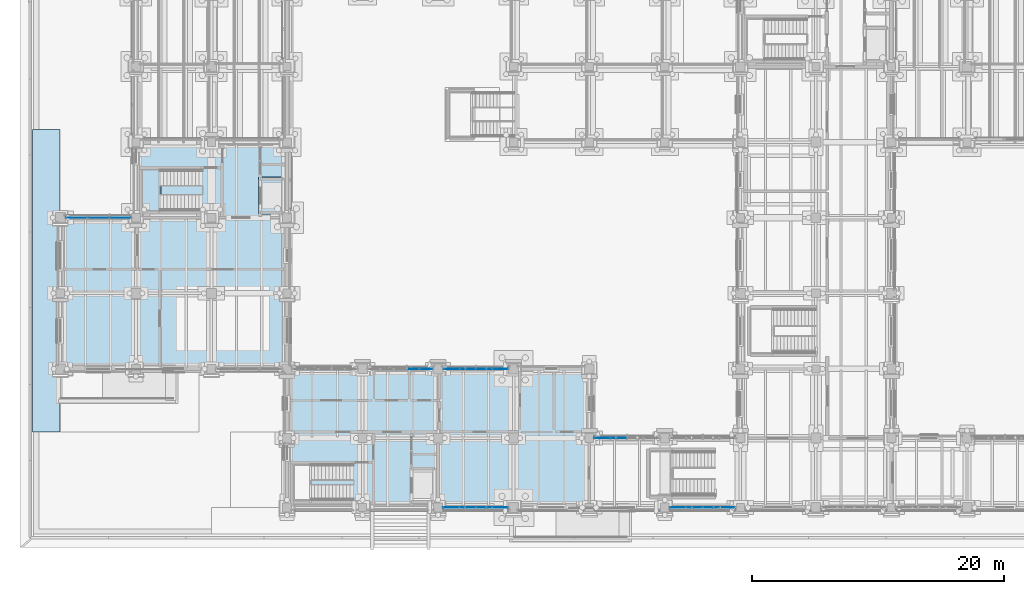
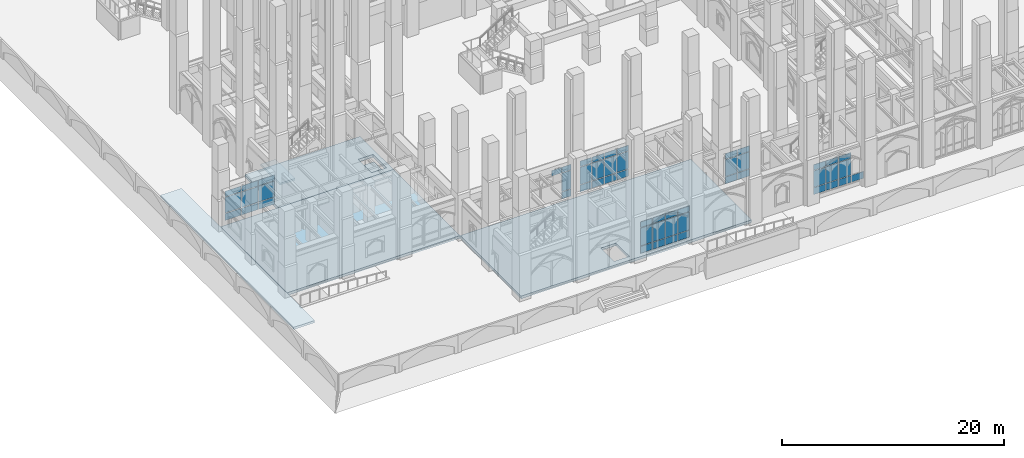
# One storey, part 51 of 135: 53 plates, 6 slabs, 7 elements without a shape of their own.
"""IFC4 building model written with IfcOpenShell, lengths in metres."""

from ifc_helpers import new_model, si_unit, direction, frame, origin, origin_2d, place, context, subcontext, project, spatial, polyline, rectangle, outline, extrude, material, layer, layer_set, type_object, element, aggregate, save


model = new_model("IFC4")

# Units and contexts
model_context = context("Model", 3, precision=1e-05, world=origin(), true_north=direction((0.0, 1.0)))
body_context = subcontext(model_context, "Body", "Model", "MODEL_VIEW")
ifc_project = project(units=[si_unit("LENGTHUNIT", "METRE"), si_unit("AREAUNIT", "SQUARE_METRE"), si_unit("VOLUMEUNIT", "CUBIC_METRE"), si_unit("PLANEANGLEUNIT", "RADIAN"), si_unit("MASSUNIT", "GRAM", prefix="KILO")], contexts=[model_context])

# Site, building, storey
site_placement = place(None, origin())
site = spatial("IfcSite", under=ifc_project, at=site_placement, CompositionType="ELEMENT")
building_placement = place(site_placement, origin())
building = spatial("IfcBuilding", under=site, at=building_placement, Name="Cumevento Cable Car Station", CompositionType="ELEMENT")
storey_placement = place(building_placement, origin())
storey = spatial("IfcBuildingStorey", under=building, at=storey_placement, Name="L01", CompositionType="ELEMENT", Elevation=0.0)

# Slabs
ifc_material_1 = material(Name="Concrete C40/50", Category="concrete")
ifc_layer_1 = layer(ifc_material_1, 0.2900390625)
ifc_layer_set_1 = layer_set([ifc_layer_1], Name="Concrete C40/50")
slab_type_1 = type_object("IfcSlabType", Name="Concrete Deck BS-290 290", PredefinedType="BASESLAB", material=ifc_layer_set_1)
slab_1_placement = place(storey_placement, frame((0.0, 0.0, -0.2900390625)))
element("IfcSlab", 1, at=slab_1_placement, inside=storey, type_object=slab_type_1, Name="Base Slab BS-290 L01 B_V1a.1", PredefinedType="BASESLAB", context=body_context, shape_type="SweptSolid", body=[
    extrude(outline(polyline([(22.0, 4.0), (46.0, 4.0), (46.0, 15.0), (22.0, 15.0), (22.0, 4.0)]), holes=[polyline([(32.010009765625, 4.5400390625), (33.580078125, 4.5400390625), (33.580078125, 6.9599609375), (32.010009765625, 6.9599609375), (32.010009765625, 4.5400390625)])]), origin(), (0.0, 0.0, 1.0), 0.2900390625),
])
slab_2_placement = place(storey_placement, frame((0.0, 0.0, -0.2900390625)))
element("IfcSlab", 2, at=slab_2_placement, inside=storey, type_object=slab_type_1, Name="Base Slab BS-290 L01 B_V6a.1", PredefinedType="BASESLAB", context=body_context, shape_type="SweptSolid", body=[
    extrude(outline(polyline([(4.0, 15.0), (22.0, 15.0), (22.0, 27.0), (4.0, 27.0), (4.0, 15.0)])), origin(), (0.0, 0.0, 1.0), 0.2900390625),
])
slab_3_placement = place(storey_placement, frame((0.0, 0.0, -1.340087890625)))
element("IfcSlab", 3, at=slab_3_placement, inside=storey, type_object=slab_type_1, Name="Lift Pit Base Slab LF-03", PredefinedType="BASESLAB", context=body_context, shape_type="SweptSolid", body=[
    extrude(outline(polyline([(19.739990234375, 27.280029296875), (21.840087890625, 27.280029296875), (21.840087890625, 30.219970703125), (19.739990234375, 30.219970703125), (19.739990234375, 27.280029296875)])), origin(), (0.0, 0.0, 1.0), 0.2900390625),
])
ifc_material_2 = material(Name="Concrete C40/50", Category="concrete")
ifc_layer_2 = layer(ifc_material_2, 0.31005859375)
ifc_layer_set_2 = layer_set([ifc_layer_2], Name="Concrete C40/50")
slab_type_2 = type_object("IfcSlabType", Name="Concrete Deck BS-310 310", PredefinedType="BASESLAB", material=ifc_layer_set_2)
slab_4_placement = place(storey_placement, frame((0.0, 0.0, -0.31005859375)))
element("IfcSlab", 4, at=slab_4_placement, inside=storey, type_object=slab_type_2, Name="Base Slab BS-310 L01 B_V6b_core.1", PredefinedType="BASESLAB", context=body_context, shape_type="SweptSolid", body=[
    extrude(outline(polyline([(10.0, 27.0), (22.0, 27.0), (22.0, 33.0), (10.0, 33.0), (10.0, 27.0)]), holes=[polyline([(20.010009765625, 27.5400390625), (21.580078125, 27.5400390625), (21.580078125, 29.9599609375), (20.010009765625, 29.9599609375), (20.010009765625, 27.5400390625)])]), origin(), (0.0, 0.0, 1.0), 0.31005859375),
])
ifc_material_3 = material(Name="Concrete C40/50", Category="concrete")
ifc_layer_3 = layer(ifc_material_3, 0.25)
ifc_layer_set_3 = layer_set([ifc_layer_3], Name="Concrete C40/50")
slab_type_3 = type_object("IfcSlabType", Name="Exterior Apron Slab AP-250", PredefinedType="BASESLAB", material=ifc_layer_set_3)
slab_5_placement = place(storey_placement, frame((0.0, 0.0, -0.25)))
element("IfcSlab", 5, at=slab_5_placement, inside=storey, type_object=slab_type_3, Name="Exterior Paved Apron apron_W_rescue #1", PredefinedType="BASESLAB", context=body_context, shape_type="SweptSolid", body=[
    extrude(outline(polyline([(1.800048828125, 10.0), (1.800048828125, 34.0), (3.97998046875, 34.0), (3.97998046875, 10.0), (1.800048828125, 10.0)])), origin(), (0.0, 0.0, 1.0), 0.25),
])

# Curtain wall, plates
ifc_material_4 = material(Name="Anodised Bronze Aluminium AW-6063-T6", Category="aluminium")
ifc_layer_4 = layer(ifc_material_4, 0.243896484375)
ifc_layer_set_4 = layer_set([ifc_layer_4], Name="Anodised Bronze Aluminium AW-6063-T6")
curtain_wall_type_1 = type_object("IfcCurtainWallType", Name="Lancet Curtain Wall CW-15 1610", PredefinedType="NOTDEFINED", material=ifc_layer_set_4)
curtain_wall_1_placement = place(storey_placement, origin())
curtain_wall_1 = element("IfcCurtainWall", 6, at=curtain_wall_1_placement, inside=storey, type_object=curtain_wall_type_1, Name="Lancet Curtain Wall CW-15 L01 #14", PredefinedType="NOTDEFINED")
ifc_material_5 = material(Name="Solar Control Laminated Double Glazing", Category="glass")
ifc_layer_5 = layer(ifc_material_5, 0.02197265625)
ifc_layer_set_5 = layer_set([ifc_layer_5], Name="Solar Control Laminated Double Glazing")
plate_type_1 = type_object("IfcPlateType", Name="Glazed Panel CWP-01 22", PredefinedType="CURTAIN_PANEL", material=ifc_layer_set_5)
plate_1_placement = place(storey_placement, frame((5.291259765625, 27.0, 0.525146484375), z_axis=(0.0, 0.0, 1.0), x_axis=(1.0, 0.0, 0.0)))
plate_1 = element("IfcPlate", 7, at=plate_1_placement, type_object=plate_type_1, Name="CW-15 panel 1.1", PredefinedType="CURTAIN_PANEL", context=body_context, shape_type="SweptSolid", body=[
    extrude(rectangle(XDim=1.652587890625, YDim=0.02197265625, at=origin_2d()), origin(), (0.0, 0.0, 1.0), 0.75244140625),
])
plate_2_placement = place(storey_placement, frame((5.291259765625, 27.0, 1.3427734375), z_axis=(0.0, 0.0, 1.0), x_axis=(1.0, 0.0, 0.0)))
plate_2 = element("IfcPlate", 8, at=plate_2_placement, type_object=plate_type_1, Name="CW-15 panel 1.2", PredefinedType="CURTAIN_PANEL", context=body_context, shape_type="SweptSolid", body=[
    extrude(rectangle(XDim=1.652587890625, YDim=0.02197265625, at=origin_2d()), origin(), (0.0, 0.0, 1.0), 1.721923828125),
])
plate_3_placement = place(storey_placement, frame((5.291259765625, 27.0, 3.12939453125), z_axis=(0.0, 0.0, 1.0), x_axis=(1.0, 0.0, 0.0)))
plate_3 = element("IfcPlate", 9, at=plate_3_placement, type_object=plate_type_1, Name="CW-15 panel 1.3", PredefinedType="CURTAIN_PANEL", context=body_context, shape_type="SweptSolid", body=[
    extrude(rectangle(XDim=1.652587890625, YDim=0.02197265625, at=origin_2d()), origin(), (0.0, 0.0, 1.0), 0.6025390625),
])
plate_4_placement = place(storey_placement, frame((7.02490234375, 27.0, 0.525146484375), z_axis=(0.0, 0.0, 1.0), x_axis=(1.0, 0.0, 0.0)))
plate_4 = element("IfcPlate", 10, at=plate_4_placement, type_object=plate_type_1, Name="CW-15 panel 2.1", PredefinedType="CURTAIN_PANEL", context=body_context, shape_type="SweptSolid", body=[
    extrude(rectangle(XDim=1.68505859375, YDim=0.02197265625, at=origin_2d()), origin(), (0.0, 0.0, 1.0), 0.75244140625),
])
plate_5_placement = place(storey_placement, frame((7.02490234375, 27.0, 1.3427734375), z_axis=(0.0, 0.0, 1.0), x_axis=(1.0, 0.0, 0.0)))
plate_5 = element("IfcPlate", 11, at=plate_5_placement, type_object=plate_type_1, Name="CW-15 panel 2.2", PredefinedType="CURTAIN_PANEL", context=body_context, shape_type="SweptSolid", body=[
    extrude(rectangle(XDim=1.68505859375, YDim=0.02197265625, at=origin_2d()), origin(), (0.0, 0.0, 1.0), 1.721923828125),
])
plate_6_placement = place(storey_placement, frame((7.02490234375, 27.0, 3.12939453125), z_axis=(0.0, 0.0, 1.0), x_axis=(1.0, 0.0, 0.0)))
plate_6 = element("IfcPlate", 12, at=plate_6_placement, type_object=plate_type_1, Name="CW-15 panel 2.3", PredefinedType="CURTAIN_PANEL", context=body_context, shape_type="SweptSolid", body=[
    extrude(rectangle(XDim=1.68505859375, YDim=0.02197265625, at=origin_2d()), origin(), (0.0, 0.0, 1.0), 0.6025390625),
])
plate_7_placement = place(storey_placement, frame((8.7587890625, 27.0, 0.525146484375), z_axis=(0.0, 0.0, 1.0), x_axis=(1.0, 0.0, 0.0)))
plate_7 = element("IfcPlate", 13, at=plate_7_placement, type_object=plate_type_1, Name="CW-15 panel 3.1", PredefinedType="CURTAIN_PANEL", context=body_context, shape_type="SweptSolid", body=[
    extrude(rectangle(XDim=1.652587890625, YDim=0.02197265625, at=origin_2d()), origin(), (0.0, 0.0, 1.0), 0.75244140625),
])
plate_8_placement = place(storey_placement, frame((8.7587890625, 27.0, 1.3427734375), z_axis=(0.0, 0.0, 1.0), x_axis=(1.0, 0.0, 0.0)))
plate_8 = element("IfcPlate", 14, at=plate_8_placement, type_object=plate_type_1, Name="CW-15 panel 3.2", PredefinedType="CURTAIN_PANEL", context=body_context, shape_type="SweptSolid", body=[
    extrude(rectangle(XDim=1.652587890625, YDim=0.02197265625, at=origin_2d()), origin(), (0.0, 0.0, 1.0), 1.721923828125),
])
plate_9_placement = place(storey_placement, frame((8.7587890625, 27.0, 3.12939453125), z_axis=(0.0, 0.0, 1.0), x_axis=(1.0, 0.0, 0.0)))
plate_9 = element("IfcPlate", 15, at=plate_9_placement, type_object=plate_type_1, Name="CW-15 panel 3.3", PredefinedType="CURTAIN_PANEL", context=body_context, shape_type="SweptSolid", body=[
    extrude(rectangle(XDim=1.652587890625, YDim=0.02197265625, at=origin_2d()), origin(), (0.0, 0.0, 1.0), 0.6025390625),
])
aggregate(curtain_wall_1, [plate_1, plate_2, plate_3, plate_4, plate_5, plate_6, plate_7, plate_8, plate_9])

ifc_material_6 = material(Name="Anodised Bronze Aluminium AW-6063-T6", Category="aluminium")
ifc_layer_6 = layer(ifc_material_6, 0.172119140625)
ifc_layer_set_6 = layer_set([ifc_layer_6], Name="Anodised Bronze Aluminium AW-6063-T6")
curtain_wall_type_2 = type_object("IfcCurtainWallType", Name="Lancet Curtain Wall CW-03 1130", PredefinedType="NOTDEFINED", material=ifc_layer_set_6)
curtain_wall_2_placement = place(storey_placement, origin())
curtain_wall_2 = element("IfcCurtainWall", 16, at=curtain_wall_2_placement, inside=storey, type_object=curtain_wall_type_2, Name="Lancet Curtain Wall CW-03 L01 #2", PredefinedType="NOTDEFINED")
ifc_material_7 = material(Name="Solar Control Laminated Double Glazing", Category="glass")
ifc_layer_7 = layer(ifc_material_7, 0.030029296875)
ifc_layer_set_7 = layer_set([ifc_layer_7], Name="Solar Control Laminated Double Glazing")
plate_type_2 = type_object("IfcPlateType", Name="Glazed Panel CWP-03 30", PredefinedType="CURTAIN_PANEL", material=ifc_layer_set_7)
plate_10_placement = place(storey_placement, frame((32.032470703125, 15.0, 3.21337890625), z_axis=(0.0, 0.0, 1.0), x_axis=(1.0, 0.0, 0.0)))
plate_10 = element("IfcPlate", 17, at=plate_10_placement, type_object=plate_type_2, Name="CW-03 panel 4.3", PredefinedType="CURTAIN_PANEL", context=body_context, shape_type="SweptSolid", body=[
    extrude(rectangle(XDim=0.97998046875, YDim=0.030029296875, at=origin_2d()), origin(), (0.0, 0.0, 1.0), 0.6025390625),
])
plate_11_placement = place(storey_placement, frame((33.061279296875, 15.0, 0.324951171875), z_axis=(0.0, 0.0, 1.0), x_axis=(1.0, 0.0, 0.0)))
plate_11 = element("IfcPlate", 18, at=plate_11_placement, type_object=plate_type_2, Name="CW-03 panel 5.1", PredefinedType="CURTAIN_PANEL", context=body_context, shape_type="SweptSolid", body=[
    extrude(rectangle(XDim=0.947509765625, YDim=0.030029296875, at=origin_2d()), origin(), (0.0, 0.0, 1.0), 0.75244140625),
])
plate_12_placement = place(storey_placement, frame((33.061279296875, 15.0, 1.142578125), z_axis=(0.0, 0.0, 1.0), x_axis=(1.0, 0.0, 0.0)))
plate_12 = element("IfcPlate", 19, at=plate_12_placement, type_object=plate_type_2, Name="CW-03 panel 5.2", PredefinedType="CURTAIN_PANEL", context=body_context, shape_type="SweptSolid", body=[
    extrude(rectangle(XDim=0.947509765625, YDim=0.030029296875, at=origin_2d()), origin(), (0.0, 0.0, 1.0), 2.006103515625),
])
plate_13_placement = place(storey_placement, frame((33.061279296875, 15.0, 3.21337890625), z_axis=(0.0, 0.0, 1.0), x_axis=(1.0, 0.0, 0.0)))
plate_13 = element("IfcPlate", 20, at=plate_13_placement, type_object=plate_type_2, Name="CW-03 panel 5.3", PredefinedType="CURTAIN_PANEL", context=body_context, shape_type="SweptSolid", body=[
    extrude(rectangle(XDim=0.947509765625, YDim=0.030029296875, at=origin_2d()), origin(), (0.0, 0.0, 1.0), 0.6025390625),
])
aggregate(curtain_wall_2, [plate_10, plate_11, plate_12, plate_13])

ifc_material_8 = material(Name="Anodised Bronze Aluminium AW-6063-T6", Category="aluminium")
ifc_layer_8 = layer(ifc_material_8, 0.177978515625)
ifc_layer_set_8 = layer_set([ifc_layer_8], Name="Anodised Bronze Aluminium AW-6063-T6")
curtain_wall_type_3 = type_object("IfcCurtainWallType", Name="Lancet Curtain Wall CW-04 1170", PredefinedType="NOTDEFINED", material=ifc_layer_set_8)
curtain_wall_3_placement = place(storey_placement, origin())
curtain_wall_3 = element("IfcCurtainWall", 21, at=curtain_wall_3_placement, inside=storey, type_object=curtain_wall_type_3, Name="Lancet Curtain Wall CW-04 L01 #3", PredefinedType="NOTDEFINED")
ifc_material_9 = material(Name="Solar Control Laminated Double Glazing", Category="glass")
ifc_layer_9 = layer(ifc_material_9, 0.033935546875)
ifc_layer_set_9 = layer_set([ifc_layer_9], Name="Solar Control Laminated Double Glazing")
plate_type_3 = type_object("IfcPlateType", Name="Glazed Panel CWP-04 34", PredefinedType="CURTAIN_PANEL", material=ifc_layer_set_9)
plate_14_placement = place(storey_placement, frame((38.927490234375, 4.0, 0.375), z_axis=(0.0, 0.0, 1.0), x_axis=(-1.0, 0.0, 0.0)))
plate_14 = element("IfcPlate", 22, at=plate_14_placement, type_object=plate_type_3, Name="CW-04 panel 1.1", PredefinedType="CURTAIN_PANEL", context=body_context, shape_type="SweptSolid", body=[
    extrude(rectangle(XDim=1.215087890625, YDim=0.033935546875, at=origin_2d()), origin(), (0.0, 0.0, 1.0), 0.75244140625),
])
plate_15_placement = place(storey_placement, frame((38.927490234375, 4.0, 1.1923828125), z_axis=(0.0, 0.0, 1.0), x_axis=(-1.0, 0.0, 0.0)))
plate_15 = element("IfcPlate", 23, at=plate_15_placement, type_object=plate_type_3, Name="CW-04 panel 1.2", PredefinedType="CURTAIN_PANEL", context=body_context, shape_type="SweptSolid", body=[
    extrude(rectangle(XDim=1.215087890625, YDim=0.033935546875, at=origin_2d()), origin(), (0.0, 0.0, 1.0), 1.9560546875),
])
plate_16_placement = place(storey_placement, frame((38.927490234375, 4.0, 3.21337890625), z_axis=(0.0, 0.0, 1.0), x_axis=(-1.0, 0.0, 0.0)))
plate_16 = element("IfcPlate", 24, at=plate_16_placement, type_object=plate_type_3, Name="CW-04 panel 1.3", PredefinedType="CURTAIN_PANEL", context=body_context, shape_type="SweptSolid", body=[
    extrude(rectangle(XDim=1.215087890625, YDim=0.033935546875, at=origin_2d()), origin(), (0.0, 0.0, 1.0), 0.6025390625),
])
plate_17_placement = place(storey_placement, frame((37.63134765625, 4.0, 0.375), z_axis=(0.0, 0.0, 1.0), x_axis=(-1.0, 0.0, 0.0)))
plate_17 = element("IfcPlate", 25, at=plate_17_placement, type_object=plate_type_3, Name="CW-04 panel 2.1", PredefinedType="CURTAIN_PANEL", context=body_context, shape_type="SweptSolid", body=[
    extrude(rectangle(XDim=1.24755859375, YDim=0.033935546875, at=origin_2d()), origin(), (0.0, 0.0, 1.0), 0.75244140625),
])
plate_18_placement = place(storey_placement, frame((37.63134765625, 4.0, 1.1923828125), z_axis=(0.0, 0.0, 1.0), x_axis=(-1.0, 0.0, 0.0)))
plate_18 = element("IfcPlate", 26, at=plate_18_placement, type_object=plate_type_3, Name="CW-04 panel 2.2", PredefinedType="CURTAIN_PANEL", context=body_context, shape_type="SweptSolid", body=[
    extrude(rectangle(XDim=1.24755859375, YDim=0.033935546875, at=origin_2d()), origin(), (0.0, 0.0, 1.0), 1.9560546875),
])
plate_19_placement = place(storey_placement, frame((37.63134765625, 4.0, 3.21337890625), z_axis=(0.0, 0.0, 1.0), x_axis=(-1.0, 0.0, 0.0)))
plate_19 = element("IfcPlate", 27, at=plate_19_placement, type_object=plate_type_3, Name="CW-04 panel 2.3", PredefinedType="CURTAIN_PANEL", context=body_context, shape_type="SweptSolid", body=[
    extrude(rectangle(XDim=1.24755859375, YDim=0.033935546875, at=origin_2d()), origin(), (0.0, 0.0, 1.0), 0.6025390625),
])
plate_20_placement = place(storey_placement, frame((36.31884765625, 4.0, 0.375), z_axis=(0.0, 0.0, 1.0), x_axis=(-1.0, 0.0, 0.0)))
plate_20 = element("IfcPlate", 28, at=plate_20_placement, type_object=plate_type_3, Name="CW-04 panel 3.1", PredefinedType="CURTAIN_PANEL", context=body_context, shape_type="SweptSolid", body=[
    extrude(rectangle(XDim=1.24755859375, YDim=0.033935546875, at=origin_2d()), origin(), (0.0, 0.0, 1.0), 0.75244140625),
])
plate_21_placement = place(storey_placement, frame((36.31884765625, 4.0, 1.1923828125), z_axis=(0.0, 0.0, 1.0), x_axis=(-1.0, 0.0, 0.0)))
plate_21 = element("IfcPlate", 29, at=plate_21_placement, type_object=plate_type_3, Name="CW-04 panel 3.2", PredefinedType="CURTAIN_PANEL", context=body_context, shape_type="SweptSolid", body=[
    extrude(rectangle(XDim=1.24755859375, YDim=0.033935546875, at=origin_2d()), origin(), (0.0, 0.0, 1.0), 1.9560546875),
])
plate_22_placement = place(storey_placement, frame((36.31884765625, 4.0, 3.21337890625), z_axis=(0.0, 0.0, 1.0), x_axis=(-1.0, 0.0, 0.0)))
plate_22 = element("IfcPlate", 30, at=plate_22_placement, type_object=plate_type_3, Name="CW-04 panel 3.3", PredefinedType="CURTAIN_PANEL", context=body_context, shape_type="SweptSolid", body=[
    extrude(rectangle(XDim=1.24755859375, YDim=0.033935546875, at=origin_2d()), origin(), (0.0, 0.0, 1.0), 0.6025390625),
])
plate_23_placement = place(storey_placement, frame((35.0224609375, 4.0, 0.375), z_axis=(0.0, 0.0, 1.0), x_axis=(-1.0, 0.0, 0.0)))
plate_23 = element("IfcPlate", 31, at=plate_23_placement, type_object=plate_type_3, Name="CW-04 panel 4.1", PredefinedType="CURTAIN_PANEL", context=body_context, shape_type="SweptSolid", body=[
    extrude(rectangle(XDim=1.215087890625, YDim=0.033935546875, at=origin_2d()), origin(), (0.0, 0.0, 1.0), 0.75244140625),
])
plate_24_placement = place(storey_placement, frame((35.0224609375, 4.0, 1.1923828125), z_axis=(0.0, 0.0, 1.0), x_axis=(-1.0, 0.0, 0.0)))
plate_24 = element("IfcPlate", 32, at=plate_24_placement, type_object=plate_type_3, Name="CW-04 panel 4.2", PredefinedType="CURTAIN_PANEL", context=body_context, shape_type="SweptSolid", body=[
    extrude(rectangle(XDim=1.215087890625, YDim=0.033935546875, at=origin_2d()), origin(), (0.0, 0.0, 1.0), 1.9560546875),
])
plate_25_placement = place(storey_placement, frame((35.0224609375, 4.0, 3.21337890625), z_axis=(0.0, 0.0, 1.0), x_axis=(-1.0, 0.0, 0.0)))
plate_25 = element("IfcPlate", 33, at=plate_25_placement, type_object=plate_type_3, Name="CW-04 panel 4.3", PredefinedType="CURTAIN_PANEL", context=body_context, shape_type="SweptSolid", body=[
    extrude(rectangle(XDim=1.215087890625, YDim=0.033935546875, at=origin_2d()), origin(), (0.0, 0.0, 1.0), 0.6025390625),
])
aggregate(curtain_wall_3, [plate_14, plate_15, plate_16, plate_17, plate_18, plate_19, plate_20, plate_21, plate_22, plate_23, plate_24, plate_25])

ifc_material_10 = material(Name="Anodised Bronze Aluminium AW-6063-T6", Category="aluminium")
ifc_layer_10 = layer(ifc_material_10, 0.18408203125)
ifc_layer_set_10 = layer_set([ifc_layer_10], Name="Anodised Bronze Aluminium AW-6063-T6")
curtain_wall_type_4 = type_object("IfcCurtainWallType", Name="Lancet Curtain Wall CW-05 1210", PredefinedType="NOTDEFINED", material=ifc_layer_set_10)
curtain_wall_4_placement = place(storey_placement, origin())
curtain_wall_4 = element("IfcCurtainWall", 34, at=curtain_wall_4_placement, inside=storey, type_object=curtain_wall_type_4, Name="Lancet Curtain Wall CW-05 L01 #4", PredefinedType="NOTDEFINED")
ifc_material_11 = material(Name="Solar Control Laminated Double Glazing", Category="glass")
ifc_layer_11 = layer(ifc_material_11, 0.0380859375)
ifc_layer_set_11 = layer_set([ifc_layer_11], Name="Solar Control Laminated Double Glazing")
plate_type_4 = type_object("IfcPlateType", Name="Glazed Panel CWP-05 38", PredefinedType="CURTAIN_PANEL", material=ifc_layer_set_11)
plate_26_placement = place(storey_placement, frame((35.066162109375, 15.0, 0.425048828125), z_axis=(0.0, 0.0, 1.0), x_axis=(1.0, 0.0, 0.0)))
plate_26 = element("IfcPlate", 35, at=plate_26_placement, type_object=plate_type_4, Name="CW-05 panel 1.1", PredefinedType="CURTAIN_PANEL", context=body_context, shape_type="SweptSolid", body=[
    extrude(rectangle(XDim=1.202392578125, YDim=0.0380859375, at=origin_2d()), origin(), (0.0, 0.0, 1.0), 0.75244140625),
])
plate_27_placement = place(storey_placement, frame((35.066162109375, 15.0, 1.24267578125), z_axis=(0.0, 0.0, 1.0), x_axis=(1.0, 0.0, 0.0)))
plate_27 = element("IfcPlate", 36, at=plate_27_placement, type_object=plate_type_4, Name="CW-05 panel 1.2", PredefinedType="CURTAIN_PANEL", context=body_context, shape_type="SweptSolid", body=[
    extrude(rectangle(XDim=1.202392578125, YDim=0.0380859375, at=origin_2d()), origin(), (0.0, 0.0, 1.0), 1.906005859375),
])
plate_28_placement = place(storey_placement, frame((35.066162109375, 15.0, 3.21337890625), z_axis=(0.0, 0.0, 1.0), x_axis=(1.0, 0.0, 0.0)))
plate_28 = element("IfcPlate", 37, at=plate_28_placement, type_object=plate_type_4, Name="CW-05 panel 1.3", PredefinedType="CURTAIN_PANEL", context=body_context, shape_type="SweptSolid", body=[
    extrude(rectangle(XDim=1.202392578125, YDim=0.0380859375, at=origin_2d()), origin(), (0.0, 0.0, 1.0), 0.6025390625),
])
plate_29_placement = place(storey_placement, frame((36.35009765625, 15.0, 0.425048828125), z_axis=(0.0, 0.0, 1.0), x_axis=(1.0, 0.0, 0.0)))
plate_29 = element("IfcPlate", 38, at=plate_29_placement, type_object=plate_type_4, Name="CW-05 panel 2.1", PredefinedType="CURTAIN_PANEL", context=body_context, shape_type="SweptSolid", body=[
    extrude(rectangle(XDim=1.235107421875, YDim=0.0380859375, at=origin_2d()), origin(), (0.0, 0.0, 1.0), 0.75244140625),
])
plate_30_placement = place(storey_placement, frame((36.35009765625, 15.0, 1.24267578125), z_axis=(0.0, 0.0, 1.0), x_axis=(1.0, 0.0, 0.0)))
plate_30 = element("IfcPlate", 39, at=plate_30_placement, type_object=plate_type_4, Name="CW-05 panel 2.2", PredefinedType="CURTAIN_PANEL", context=body_context, shape_type="SweptSolid", body=[
    extrude(rectangle(XDim=1.235107421875, YDim=0.0380859375, at=origin_2d()), origin(), (0.0, 0.0, 1.0), 1.906005859375),
])
plate_31_placement = place(storey_placement, frame((36.35009765625, 15.0, 3.21337890625), z_axis=(0.0, 0.0, 1.0), x_axis=(1.0, 0.0, 0.0)))
plate_31 = element("IfcPlate", 40, at=plate_31_placement, type_object=plate_type_4, Name="CW-05 panel 2.3", PredefinedType="CURTAIN_PANEL", context=body_context, shape_type="SweptSolid", body=[
    extrude(rectangle(XDim=1.235107421875, YDim=0.0380859375, at=origin_2d()), origin(), (0.0, 0.0, 1.0), 0.6025390625),
])
plate_32_placement = place(storey_placement, frame((37.64990234375, 15.0, 0.425048828125), z_axis=(0.0, 0.0, 1.0), x_axis=(1.0, 0.0, 0.0)))
plate_32 = element("IfcPlate", 41, at=plate_32_placement, type_object=plate_type_4, Name="CW-05 panel 3.1", PredefinedType="CURTAIN_PANEL", context=body_context, shape_type="SweptSolid", body=[
    extrude(rectangle(XDim=1.235107421875, YDim=0.0380859375, at=origin_2d()), origin(), (0.0, 0.0, 1.0), 0.75244140625),
])
plate_33_placement = place(storey_placement, frame((37.64990234375, 15.0, 1.24267578125), z_axis=(0.0, 0.0, 1.0), x_axis=(1.0, 0.0, 0.0)))
plate_33 = element("IfcPlate", 42, at=plate_33_placement, type_object=plate_type_4, Name="CW-05 panel 3.2", PredefinedType="CURTAIN_PANEL", context=body_context, shape_type="SweptSolid", body=[
    extrude(rectangle(XDim=1.235107421875, YDim=0.0380859375, at=origin_2d()), origin(), (0.0, 0.0, 1.0), 1.906005859375),
])
plate_34_placement = place(storey_placement, frame((37.64990234375, 15.0, 3.21337890625), z_axis=(0.0, 0.0, 1.0), x_axis=(1.0, 0.0, 0.0)))
plate_34 = element("IfcPlate", 43, at=plate_34_placement, type_object=plate_type_4, Name="CW-05 panel 3.3", PredefinedType="CURTAIN_PANEL", context=body_context, shape_type="SweptSolid", body=[
    extrude(rectangle(XDim=1.235107421875, YDim=0.0380859375, at=origin_2d()), origin(), (0.0, 0.0, 1.0), 0.6025390625),
])
plate_35_placement = place(storey_placement, frame((38.933837890625, 15.0, 0.425048828125), z_axis=(0.0, 0.0, 1.0), x_axis=(1.0, 0.0, 0.0)))
plate_35 = element("IfcPlate", 44, at=plate_35_placement, type_object=plate_type_4, Name="CW-05 panel 4.1", PredefinedType="CURTAIN_PANEL", context=body_context, shape_type="SweptSolid", body=[
    extrude(rectangle(XDim=1.202392578125, YDim=0.0380859375, at=origin_2d()), origin(), (0.0, 0.0, 1.0), 0.75244140625),
])
plate_36_placement = place(storey_placement, frame((38.933837890625, 15.0, 1.24267578125), z_axis=(0.0, 0.0, 1.0), x_axis=(1.0, 0.0, 0.0)))
plate_36 = element("IfcPlate", 45, at=plate_36_placement, type_object=plate_type_4, Name="CW-05 panel 4.2", PredefinedType="CURTAIN_PANEL", context=body_context, shape_type="SweptSolid", body=[
    extrude(rectangle(XDim=1.202392578125, YDim=0.0380859375, at=origin_2d()), origin(), (0.0, 0.0, 1.0), 1.906005859375),
])
plate_37_placement = place(storey_placement, frame((38.933837890625, 15.0, 3.21337890625), z_axis=(0.0, 0.0, 1.0), x_axis=(1.0, 0.0, 0.0)))
plate_37 = element("IfcPlate", 46, at=plate_37_placement, type_object=plate_type_4, Name="CW-05 panel 4.3", PredefinedType="CURTAIN_PANEL", context=body_context, shape_type="SweptSolid", body=[
    extrude(rectangle(XDim=1.202392578125, YDim=0.0380859375, at=origin_2d()), origin(), (0.0, 0.0, 1.0), 0.6025390625),
])
aggregate(curtain_wall_4, [plate_26, plate_27, plate_28, plate_29, plate_30, plate_31, plate_32, plate_33, plate_34, plate_35, plate_36, plate_37])

ifc_material_12 = material(Name="Anodised Bronze Aluminium AW-6063-T6", Category="aluminium")
ifc_layer_12 = layer(ifc_material_12, 0.18994140625)
ifc_layer_set_12 = layer_set([ifc_layer_12], Name="Anodised Bronze Aluminium AW-6063-T6")
curtain_wall_type_5 = type_object("IfcCurtainWallType", Name="Lancet Curtain Wall CW-06 1250", PredefinedType="NOTDEFINED", material=ifc_layer_set_12)
curtain_wall_5_placement = place(storey_placement, origin())
curtain_wall_5 = element("IfcCurtainWall", 47, at=curtain_wall_5_placement, inside=storey, type_object=curtain_wall_type_5, Name="Lancet Curtain Wall CW-06 L01 #5", PredefinedType="NOTDEFINED")
ifc_material_13 = material(Name="Solar Control Laminated Double Glazing", Category="glass")
ifc_layer_13 = layer(ifc_material_13, 0.0419921875)
ifc_layer_set_13 = layer_set([ifc_layer_13], Name="Solar Control Laminated Double Glazing")
plate_type_5 = type_object("IfcPlateType", Name="Glazed Panel CWP-06 42", PredefinedType="CURTAIN_PANEL", material=ifc_layer_set_13)
plate_38_placement = place(storey_placement, frame((47.025634765625, 9.5, 0.47509765625), z_axis=(0.0, 0.0, 1.0), x_axis=(1.0, 0.0, 0.0)))
plate_38 = element("IfcPlate", 48, at=plate_38_placement, type_object=plate_type_5, Name="CW-06 panel 1.1", PredefinedType="CURTAIN_PANEL", context=body_context, shape_type="SweptSolid", body=[
    extrude(rectangle(XDim=1.22119140625, YDim=0.0419921875, at=origin_2d()), origin(), (0.0, 0.0, 1.0), 0.75244140625),
])
plate_39_placement = place(storey_placement, frame((47.025634765625, 9.5, 1.29248046875), z_axis=(0.0, 0.0, 1.0), x_axis=(1.0, 0.0, 0.0)))
plate_39 = element("IfcPlate", 49, at=plate_39_placement, type_object=plate_type_5, Name="CW-06 panel 1.2", PredefinedType="CURTAIN_PANEL", context=body_context, shape_type="SweptSolid", body=[
    extrude(rectangle(XDim=1.22119140625, YDim=0.0419921875, at=origin_2d()), origin(), (0.0, 0.0, 1.0), 1.843994140625),
])
plate_40_placement = place(storey_placement, frame((47.025634765625, 9.5, 3.201416015625), z_axis=(0.0, 0.0, 1.0), x_axis=(1.0, 0.0, 0.0)))
plate_40 = element("IfcPlate", 50, at=plate_40_placement, type_object=plate_type_5, Name="CW-06 panel 1.3", PredefinedType="CURTAIN_PANEL", context=body_context, shape_type="SweptSolid", body=[
    extrude(rectangle(XDim=1.22119140625, YDim=0.0419921875, at=origin_2d()), origin(), (0.0, 0.0, 1.0), 0.6025390625),
])
plate_41_placement = place(storey_placement, frame((48.328125, 9.5, 0.47509765625), z_axis=(0.0, 0.0, 1.0), x_axis=(1.0, 0.0, 0.0)))
plate_41 = element("IfcPlate", 51, at=plate_41_placement, type_object=plate_type_5, Name="CW-06 panel 2.1", PredefinedType="CURTAIN_PANEL", context=body_context, shape_type="SweptSolid", body=[
    extrude(rectangle(XDim=1.253662109375, YDim=0.0419921875, at=origin_2d()), origin(), (0.0, 0.0, 1.0), 0.75244140625),
])
plate_42_placement = place(storey_placement, frame((48.328125, 9.5, 1.29248046875), z_axis=(0.0, 0.0, 1.0), x_axis=(1.0, 0.0, 0.0)))
plate_42 = element("IfcPlate", 52, at=plate_42_placement, type_object=plate_type_5, Name="CW-06 panel 2.2", PredefinedType="CURTAIN_PANEL", context=body_context, shape_type="SweptSolid", body=[
    extrude(rectangle(XDim=1.253662109375, YDim=0.0419921875, at=origin_2d()), origin(), (0.0, 0.0, 1.0), 1.843994140625),
])
plate_43_placement = place(storey_placement, frame((48.328125, 9.5, 3.201416015625), z_axis=(0.0, 0.0, 1.0), x_axis=(1.0, 0.0, 0.0)))
plate_43 = element("IfcPlate", 53, at=plate_43_placement, type_object=plate_type_5, Name="CW-06 panel 2.3", PredefinedType="CURTAIN_PANEL", context=body_context, shape_type="SweptSolid", body=[
    extrude(rectangle(XDim=1.253662109375, YDim=0.0419921875, at=origin_2d()), origin(), (0.0, 0.0, 1.0), 0.6025390625),
])
aggregate(curtain_wall_5, [plate_38, plate_39, plate_40, plate_41, plate_42, plate_43])

ifc_material_14 = material(Name="Anodised Bronze Aluminium AW-6063-T6", Category="aluminium")
ifc_layer_14 = layer(ifc_material_14, 0.196044921875)
ifc_layer_set_14 = layer_set([ifc_layer_14], Name="Anodised Bronze Aluminium AW-6063-T6")
curtain_wall_type_6 = type_object("IfcCurtainWallType", Name="Lancet Curtain Wall CW-07 1290", PredefinedType="NOTDEFINED", material=ifc_layer_set_14)
curtain_wall_6_placement = place(storey_placement, origin())
curtain_wall_6 = element("IfcCurtainWall", 54, at=curtain_wall_6_placement, inside=storey, type_object=curtain_wall_type_6, Name="Lancet Curtain Wall CW-07 L01 #6", PredefinedType="NOTDEFINED")
ifc_material_15 = material(Name="Solar Control Laminated Double Glazing", Category="glass")
ifc_layer_15 = layer(ifc_material_15, 0.0458984375)
ifc_layer_set_15 = layer_set([ifc_layer_15], Name="Solar Control Laminated Double Glazing")
plate_type_6 = type_object("IfcPlateType", Name="Glazed Panel CWP-07 46", PredefinedType="CURTAIN_PANEL", material=ifc_layer_set_15)
plate_44_placement = place(storey_placement, frame((56.9931640625, 4.0, 0.525146484375), z_axis=(0.0, 0.0, 1.0), x_axis=(-1.0, 0.0, 0.0)))
plate_44 = element("IfcPlate", 55, at=plate_44_placement, type_object=plate_type_6, Name="CW-07 panel 1.1", PredefinedType="CURTAIN_PANEL", context=body_context, shape_type="SweptSolid", body=[
    extrude(rectangle(XDim=1.233642578125, YDim=0.0458984375, at=origin_2d()), origin(), (0.0, 0.0, 1.0), 0.75244140625),
])
plate_45_placement = place(storey_placement, frame((55.67822265625, 4.0, 0.525146484375), z_axis=(0.0, 0.0, 1.0), x_axis=(-1.0, 0.0, 0.0)))
plate_45 = element("IfcPlate", 56, at=plate_45_placement, type_object=plate_type_6, Name="CW-07 panel 2.1", PredefinedType="CURTAIN_PANEL", context=body_context, shape_type="SweptSolid", body=[
    extrude(rectangle(XDim=1.266357421875, YDim=0.0458984375, at=origin_2d()), origin(), (0.0, 0.0, 1.0), 0.75244140625),
])
plate_46_placement = place(storey_placement, frame((55.67822265625, 4.0, 1.342529296875), z_axis=(0.0, 0.0, 1.0), x_axis=(-1.0, 0.0, 0.0)))
plate_46 = element("IfcPlate", 57, at=plate_46_placement, type_object=plate_type_6, Name="CW-07 panel 2.2", PredefinedType="CURTAIN_PANEL", context=body_context, shape_type="SweptSolid", body=[
    extrude(rectangle(XDim=1.266357421875, YDim=0.0458984375, at=origin_2d()), origin(), (0.0, 0.0, 1.0), 1.7939453125),
])
plate_47_placement = place(storey_placement, frame((55.67822265625, 4.0, 3.201416015625), z_axis=(0.0, 0.0, 1.0), x_axis=(-1.0, 0.0, 0.0)))
plate_47 = element("IfcPlate", 58, at=plate_47_placement, type_object=plate_type_6, Name="CW-07 panel 2.3", PredefinedType="CURTAIN_PANEL", context=body_context, shape_type="SweptSolid", body=[
    extrude(rectangle(XDim=1.266357421875, YDim=0.0458984375, at=origin_2d()), origin(), (0.0, 0.0, 1.0), 0.6025390625),
])
plate_48_placement = place(storey_placement, frame((54.346923828125, 4.0, 0.525146484375), z_axis=(0.0, 0.0, 1.0), x_axis=(-1.0, 0.0, 0.0)))
plate_48 = element("IfcPlate", 59, at=plate_48_placement, type_object=plate_type_6, Name="CW-07 panel 3.1", PredefinedType="CURTAIN_PANEL", context=body_context, shape_type="SweptSolid", body=[
    extrude(rectangle(XDim=1.266357421875, YDim=0.0458984375, at=origin_2d()), origin(), (0.0, 0.0, 1.0), 0.75244140625),
])
plate_49_placement = place(storey_placement, frame((54.346923828125, 4.0, 1.342529296875), z_axis=(0.0, 0.0, 1.0), x_axis=(-1.0, 0.0, 0.0)))
plate_49 = element("IfcPlate", 60, at=plate_49_placement, type_object=plate_type_6, Name="CW-07 panel 3.2", PredefinedType="CURTAIN_PANEL", context=body_context, shape_type="SweptSolid", body=[
    extrude(rectangle(XDim=1.266357421875, YDim=0.0458984375, at=origin_2d()), origin(), (0.0, 0.0, 1.0), 1.7939453125),
])
plate_50_placement = place(storey_placement, frame((54.346923828125, 4.0, 3.201416015625), z_axis=(0.0, 0.0, 1.0), x_axis=(-1.0, 0.0, 0.0)))
plate_50 = element("IfcPlate", 61, at=plate_50_placement, type_object=plate_type_6, Name="CW-07 panel 3.3", PredefinedType="CURTAIN_PANEL", context=body_context, shape_type="SweptSolid", body=[
    extrude(rectangle(XDim=1.266357421875, YDim=0.0458984375, at=origin_2d()), origin(), (0.0, 0.0, 1.0), 0.6025390625),
])
plate_51_placement = place(storey_placement, frame((53.031982421875, 4.0, 0.525146484375), z_axis=(0.0, 0.0, 1.0), x_axis=(-1.0, 0.0, 0.0)))
plate_51 = element("IfcPlate", 62, at=plate_51_placement, type_object=plate_type_6, Name="CW-07 panel 4.1", PredefinedType="CURTAIN_PANEL", context=body_context, shape_type="SweptSolid", body=[
    extrude(rectangle(XDim=1.233642578125, YDim=0.0458984375, at=origin_2d()), origin(), (0.0, 0.0, 1.0), 0.75244140625),
])
plate_52_placement = place(storey_placement, frame((53.031982421875, 4.0, 1.342529296875), z_axis=(0.0, 0.0, 1.0), x_axis=(-1.0, 0.0, 0.0)))
plate_52 = element("IfcPlate", 63, at=plate_52_placement, type_object=plate_type_6, Name="CW-07 panel 4.2", PredefinedType="CURTAIN_PANEL", context=body_context, shape_type="SweptSolid", body=[
    extrude(rectangle(XDim=1.233642578125, YDim=0.0458984375, at=origin_2d()), origin(), (0.0, 0.0, 1.0), 1.7939453125),
])
plate_53_placement = place(storey_placement, frame((53.031982421875, 4.0, 3.201416015625), z_axis=(0.0, 0.0, 1.0), x_axis=(-1.0, 0.0, 0.0)))
plate_53 = element("IfcPlate", 64, at=plate_53_placement, type_object=plate_type_6, Name="CW-07 panel 4.3", PredefinedType="CURTAIN_PANEL", context=body_context, shape_type="SweptSolid", body=[
    extrude(rectangle(XDim=1.233642578125, YDim=0.0458984375, at=origin_2d()), origin(), (0.0, 0.0, 1.0), 0.6025390625),
])
aggregate(curtain_wall_6, [plate_44, plate_45, plate_46, plate_47, plate_48, plate_49, plate_50, plate_51, plate_52, plate_53])

# Stair, slab
ifc_material_16 = material(Name="Concrete C40/50", Category="concrete")
stair_type = type_object("IfcStairType", Name="Half-Turn Stair ST-T03 1320", PredefinedType="HALF_TURN_STAIR", material=ifc_material_16)
stair_placement = place(storey_placement, origin())
stair = element("IfcStair", 65, at=stair_placement, inside=storey, type_object=stair_type, Name="Enclosed Exit Stair ST-03 (L01 to L02)", PredefinedType="HALF_TURN_STAIR")
ifc_material_17 = material(Name="Concrete C40/50", Category="concrete")
ifc_layer_16 = layer(ifc_material_17, 0.198974609375)
ifc_layer_set_16 = layer_set([ifc_layer_16], Name="Concrete C40/50")
slab_type_4 = type_object("IfcSlabType", Name="Stair Landing STL-T03 199", PredefinedType="LANDING", material=ifc_layer_set_16)
slab_6_placement = place(storey_placement, frame((0.0, 0.0, 2.051025390625)))
slab_6 = element("IfcSlab", 66, at=slab_6_placement, type_object=slab_type_4, Name="ST-03-L01 Half-Landing", PredefinedType="LANDING", context=body_context, shape_type="SweptSolid", body=[
    extrude(outline(polyline([(10.43994140625, 27.43994140625), (12.0, 27.43994140625), (12.0, 30.929931640625), (10.43994140625, 30.929931640625), (10.43994140625, 27.43994140625)])), origin(), (0.0, 0.0, 1.0), 0.198974609375),
])
aggregate(stair, [slab_6])

save(model, "model.ifc")
